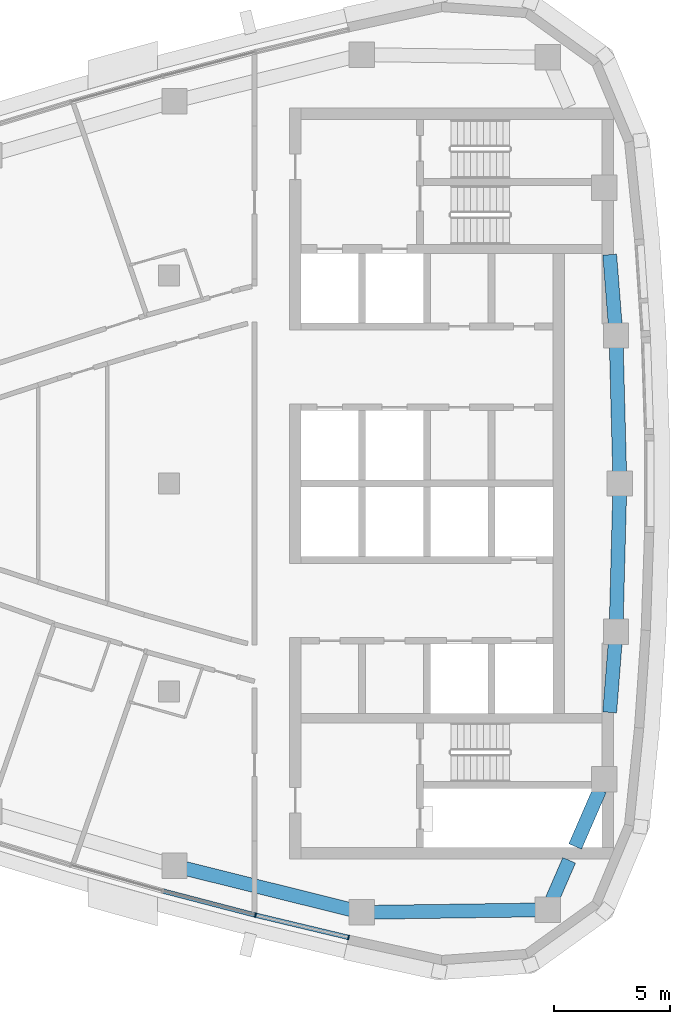
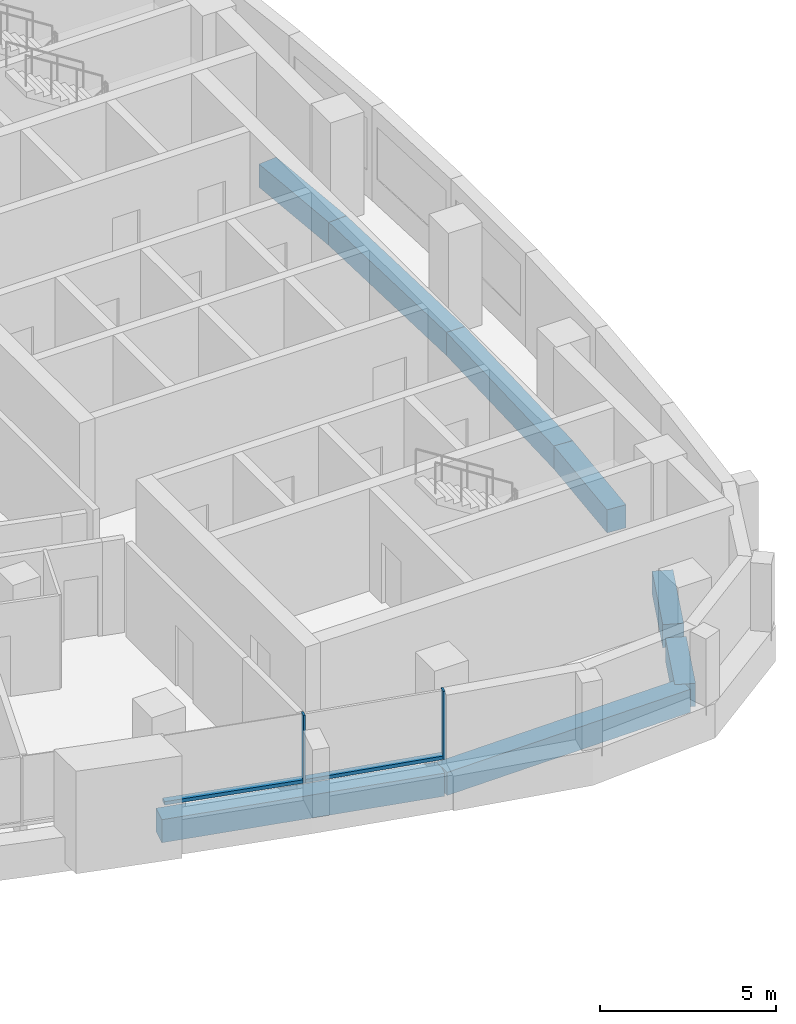
# One storey, part 4 of 14: 8 beams, 4 members, 1 element without a shape of its own.
"""IFC4 building model written with IfcOpenShell, lengths in metres."""

from ifc_helpers import new_model, si_unit, direction, frame, origin, origin_2d, place, context, subcontext, project, spatial, rectangle, extrude, material, layer, layer_set, material_profile, profile_set, type_object, element, aggregate, save


model = new_model("IFC4")

# Units and contexts
model_context = context("Model", 3, precision=1e-05, world=origin(), true_north=direction((0.0, 1.0)))
body_context = subcontext(model_context, "Body", "Model", "MODEL_VIEW")
ifc_project = project(units=[si_unit("LENGTHUNIT", "METRE"), si_unit("AREAUNIT", "SQUARE_METRE"), si_unit("VOLUMEUNIT", "CUBIC_METRE"), si_unit("PLANEANGLEUNIT", "RADIAN"), si_unit("MASSUNIT", "GRAM", prefix="KILO")], contexts=[model_context])

# Site, building, storey
site_placement = place(None, origin())
site = spatial("IfcSite", under=ifc_project, at=site_placement, CompositionType="ELEMENT")
building_placement = place(site_placement, origin())
building = spatial("IfcBuilding", under=site, at=building_placement, Name="Ostrand Prow Hotel Tower", CompositionType="ELEMENT")
storey_placement = place(building_placement, frame((0.0, 0.0, 267.89990234375)))
storey = spatial("IfcBuildingStorey", under=building, at=storey_placement, Name="L67", CompositionType="ELEMENT", Elevation=267.89990234375)

# Beams
ifc_material_1 = material(Name="Concrete C50/60", Category="concrete")
ifc_material_profile_1 = material_profile(ifc_material_1, rectangle(XDim=0.60009765625, YDim=0.800048828125, at=origin_2d()), Name="RC 600x800")
ifc_profile_set_1 = profile_set([ifc_material_profile_1], Name="Concrete C50/60")
beam_type = type_object("IfcBeamType", Name="Edge beam 600x800 C50/60", PredefinedType="SPANDREL", material=ifc_profile_set_1)
beam_1_placement = place(storey_placement, frame((45.234619140625, -16.53857421875, -0.699951171875), z_axis=(0.970456465292, -0.241276291775, 0.0), x_axis=(0.241276291775, 0.970456465292, 0.0)))
element("IfcBeam", 1, at=beam_1_placement, inside=storey, type_object=beam_type, Name="Edge beam S5-S6", PredefinedType="SPANDREL", context=body_context, shape_type="SweptSolid", body=[
    extrude(rectangle(XDim=0.60009765625, YDim=0.800048828125, at=origin_2d()), origin(), (0.0, 0.0, 1.0), 8.348876953125),
])
beam_2_placement = place(storey_placement, frame((53.3369140625, -18.552978515625, -0.699951171875), z_axis=(0.999900689486, 0.014092947356, 0.0), x_axis=(-0.014092947356, 0.999900689486, 0.0)))
element("IfcBeam", 2, at=beam_2_placement, inside=storey, type_object=beam_type, Name="Edge beam S6-SE", PredefinedType="SPANDREL", context=body_context, shape_type="SweptSolid", body=[
    extrude(rectangle(XDim=0.60009765625, YDim=0.800048828125, at=origin_2d()), origin(), (0.0, 0.0, 1.0), 8.0380859375),
])
beam_3_placement = place(storey_placement, frame((61.374267578125, -18.439697265625, -0.699951171875), z_axis=(0.398863844187, 0.91701016014, 0.0), x_axis=(-0.91701016014, 0.398863844187, 0.0)))
element("IfcBeam", 3, at=beam_3_placement, inside=storey, type_object=beam_type, Name="Edge beam SE-B1", PredefinedType="SPANDREL", context=body_context, shape_type="SweptSolid", body=[
    extrude(rectangle(XDim=0.60009765625, YDim=0.800048828125, at=origin_2d()), origin(), (0.0, 0.0, 1.0), 2.333251953125),
])
beam_4_placement = place(storey_placement, frame((62.56591796875, -15.699951171875, -0.699951171875), z_axis=(0.398799624102, 0.917038090712, 0.0), x_axis=(-0.917038090712, 0.398799624102, 0.0)))
element("IfcBeam", 4, at=beam_4_placement, inside=storey, type_object=beam_type, Name="Edge beam SE-B1", PredefinedType="SPANDREL", context=body_context, shape_type="SweptSolid", body=[
    extrude(rectangle(XDim=0.60009765625, YDim=0.800048828125, at=origin_2d()), origin(), (0.0, 0.0, 1.0), 2.671630859375),
])
beam_5_placement = place(storey_placement, frame((64.058349609375, -9.89990234375, -0.699951171875), z_axis=(0.078240080308, 0.996934546414, 0.0), x_axis=(-0.996934546414, 0.078240080308, 0.0)))
element("IfcBeam", 5, at=beam_5_placement, inside=storey, type_object=beam_type, Name="Edge beam B1-B2", PredefinedType="SPANDREL", context=body_context, shape_type="SweptSolid", body=[
    extrude(rectangle(XDim=0.60009765625, YDim=0.800048828125, at=origin_2d()), origin(), (0.0, 0.0, 1.0), 3.50732421875),
])
for number, where, z_axis, x_axis, name in (
    (6, (64.332763671875, -6.4033203125, -0.699951171875), (0.026108223987, 0.999659122221, 0.0), (-0.999659122221, 0.026108223987, 0.0), "Edge beam B2-B3"),
    (7, (64.5, 0.0, -0.699951171875), (-0.026108223987, 0.999659122221, 0.0), (-0.999659122221, -0.026108223987, 0.0), "Edge beam B3-B4"),
):
    element("IfcBeam", number, at=place(storey_placement, frame(where, z_axis=z_axis, x_axis=x_axis)), inside=storey, type_object=beam_type, Name=name, PredefinedType="SPANDREL", context=body_context, shape_type="SweptSolid", body=[
        extrude(rectangle(XDim=0.60009765625, YDim=0.800048828125, at=origin_2d()), origin(), (0.0, 0.0, 1.0), 6.405517578125),
    ])
beam_6_placement = place(storey_placement, frame((64.332763671875, 6.4033203125, -0.699951171875), z_axis=(-0.078240080308, 0.996934546414, 0.0), x_axis=(-0.996934546414, -0.078240080308, 0.0)))
element("IfcBeam", 8, at=beam_6_placement, inside=storey, type_object=beam_type, Name="Edge beam B4-B5", PredefinedType="SPANDREL", context=body_context, shape_type="SweptSolid", body=[
    extrude(rectangle(XDim=0.60009765625, YDim=0.800048828125, at=origin_2d()), origin(), (0.0, 0.0, 1.0), 3.50732421875),
])

# Curtain wall, members
ifc_material_2 = material(Name="Insulated glass in bronze anodised frame", Category="glass")
ifc_layer = layer(ifc_material_2, 0.199951171875)
ifc_layer_set = layer_set([ifc_layer], Name="Insulated glass in bronze anodised frame")
curtain_wall_type = type_object("IfcCurtainWallType", Name="Strip curtain wall, fritted glass over bronze spandrel", PredefinedType="NOTDEFINED", material=ifc_layer_set)
curtain_wall_placement = place(storey_placement, origin())
curtain_wall = element("IfcCurtainWall", 9, at=curtain_wall_placement, inside=storey, type_object=curtain_wall_type, Name="CW1 run CWS5", PredefinedType="NOTDEFINED")
ifc_material_3 = material(Name="Bronze anodised aluminium", Category="aluminium")
ifc_material_profile_2 = material_profile(ifc_material_3, rectangle(XDim=0.199951171875, YDim=0.06005859375, at=origin_2d()), Name="Mullion 60x200 bronze anodised aluminium")
ifc_profile_set_2 = profile_set([ifc_material_profile_2], Name="Bronze anodised aluminium")
member_type_1 = type_object("IfcMemberType", Name="Mullion 60x200 bronze anodised aluminium", PredefinedType="MULLION", material=ifc_profile_set_2)
member_1_placement = place(storey_placement, frame((48.734619140625, -18.6708984375, 0.900146484375), z_axis=(0.0, 0.0, 1.0), x_axis=(0.232746096028, 0.972537533869, 0.0)))
member_1 = element("IfcMember", 10, at=member_1_placement, type_object=member_type_1, Name="CW1 mullion 2", PredefinedType="MULLION", context=body_context, shape_type="SweptSolid", body=[
    extrude(rectangle(XDim=0.199951171875, YDim=0.06005859375, at=origin_2d()), origin(), (0.0, 0.0, 1.0), 2.349853515625),
])
member_2_placement = place(storey_placement, frame((52.7607421875, -19.634521484375, 0.900146484375), z_axis=(0.0, 0.0, 1.0), x_axis=(0.232746096028, 0.972537533869, 0.0)))
member_2 = element("IfcMember", 11, at=member_2_placement, type_object=member_type_1, Name="CW1 mullion 3", PredefinedType="MULLION", context=body_context, shape_type="SweptSolid", body=[
    extrude(rectangle(XDim=0.199951171875, YDim=0.06005859375, at=origin_2d()), origin(), (0.0, 0.0, 1.0), 2.349853515625),
])
ifc_material_4 = material(Name="Bronze anodised aluminium", Category="aluminium")
ifc_material_profile_3 = material_profile(ifc_material_4, rectangle(XDim=0.199951171875, YDim=0.1201171875, at=origin_2d()), Name="Transom 120x200 bronze anodised aluminium")
ifc_profile_set_3 = profile_set([ifc_material_profile_3], Name="Bronze anodised aluminium")
member_type_2 = type_object("IfcMemberType", Name="Transom 120x200 bronze anodised aluminium", PredefinedType="USERDEFINED", material=ifc_profile_set_3)
member_3_placement = place(storey_placement, frame((44.7578125, -17.63427734375, 0.960205078125), z_axis=(0.967664917891, -0.252239185461, 0.0), x_axis=(0.252239185461, 0.967664917891, 0.0)))
member_3 = element("IfcMember", 12, at=member_3_placement, type_object=member_type_2, Name="CW1 transom 1.1", ObjectType="TRANSOM", PredefinedType="USERDEFINED", context=body_context, shape_type="SweptSolid", body=[
    extrude(rectangle(XDim=0.199951171875, YDim=0.1201171875, at=origin_2d()), origin(), (0.0, 0.0, 1.0), 4.07958984375),
])
member_4_placement = place(storey_placement, frame((48.763671875, -18.677978515625, 0.960205078125), z_axis=(0.972542980558, -0.232723335675, 0.0), x_axis=(0.232723335675, 0.972542980558, 0.0)))
member_4 = element("IfcMember", 13, at=member_4_placement, type_object=member_type_2, Name="CW1 transom 2.1", ObjectType="TRANSOM", PredefinedType="USERDEFINED", context=body_context, shape_type="SweptSolid", body=[
    extrude(rectangle(XDim=0.199951171875, YDim=0.1201171875, at=origin_2d()), origin(), (0.0, 0.0, 1.0), 4.079833984375),
])
aggregate(curtain_wall, [member_1, member_2, member_3, member_4])

save(model, "model.ifc")
